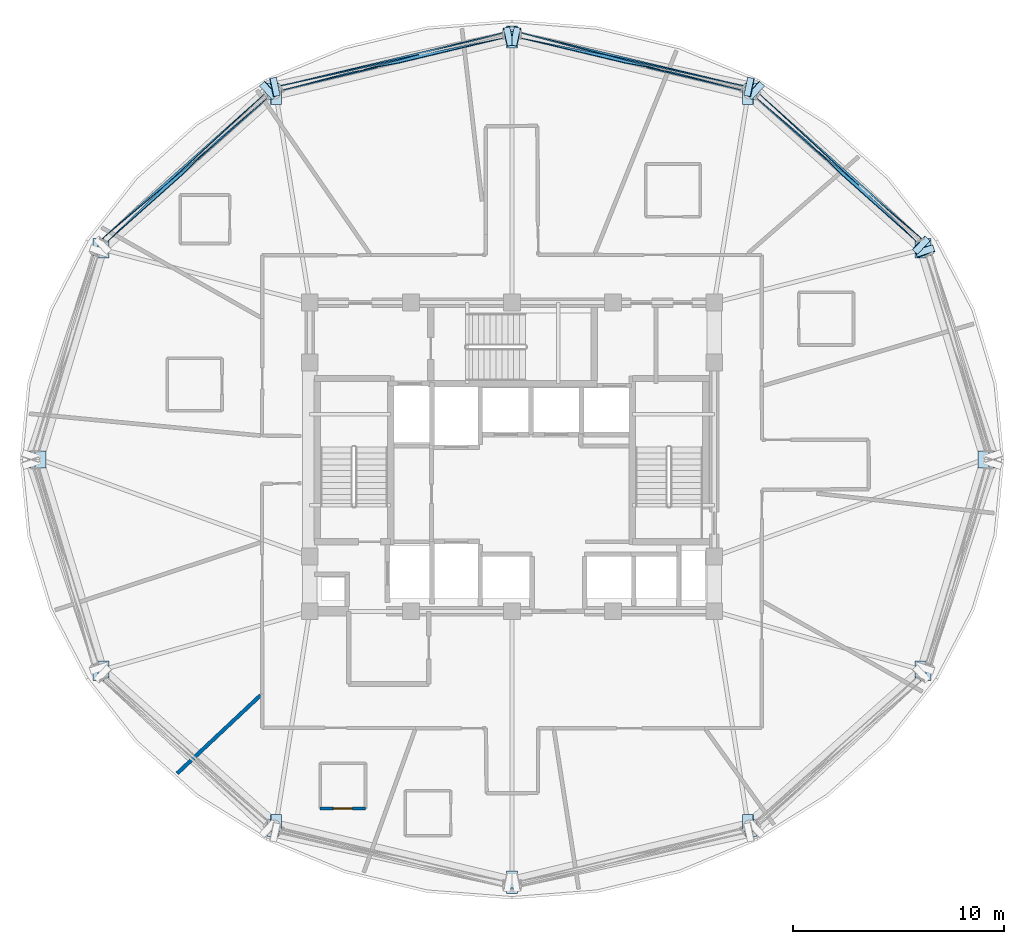
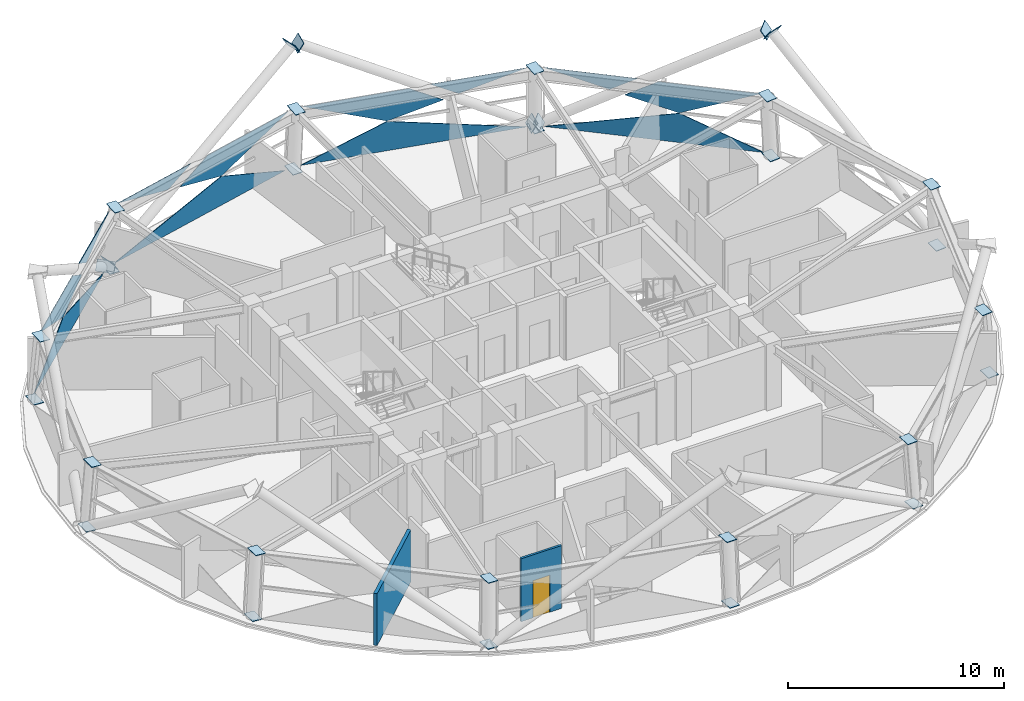
# One storey, part 4 of 12: 44 plates, 2 walls, 1 door, 1 opening, 4 elements without a shape of their own.
"""IFC4 building model written with IfcOpenShell, lengths in metres."""

import ifcopenshell
import ifcopenshell.guid

model = None  # the IFC model being written
_history = None  # IfcOwnerHistory: only IFC2X3 demands one
_inside = {}  # id of a spatial element -> (the spatial element, [elements in it])
_under = {}  # id of a project, library or spatial element -> (it, [spatial elements below it])
_declared = {}  # id of a project -> (the project, [libraries it declares])
_typed = {}  # id of a type object -> (the type object, [elements of that type])
_made_of = {}  # id of a material, layer set ... -> (it, [elements and type objects made of it])


def new_model(schema):
    """Start an empty IFC model of exactly this schema.

    Asked for "IFC4X3", IfcOpenShell would pick the latest addendum, in which some entities
    have other attributes; the version numbers below select the first issue.
    IFC2X3 requires an IfcOwnerHistory on every rooted entity: one is made here for all.
    """
    global model, _history
    if schema == "IFC4X3":
        model = ifcopenshell.file(schema_version=(4, 3, 0, 0))
    else:
        model = ifcopenshell.file(schema=schema)
    _inside.clear()
    _under.clear()
    _declared.clear()
    _typed.clear()
    _made_of.clear()
    _history = None
    if model.schema == "IFC2X3":
        org = make("IfcOrganization", Name="unknown")
        user = make(
            "IfcPersonAndOrganization",
            ThePerson=make("IfcPerson", FamilyName="unknown"),
            TheOrganization=org,
        )
        app = make(
            "IfcApplication",
            ApplicationDeveloper=org,
            Version="unknown",
            ApplicationFullName="unknown",
            ApplicationIdentifier="unknown",
        )
        _history = make(
            "IfcOwnerHistory",
            OwningUser=user,
            OwningApplication=app,
            ChangeAction="ADDED",
            CreationDate=0,
        )
    return model


def make(cls, **values):
    """One entity of the class cls with the attributes given. An attribute that is None is left unset."""
    return model.create_entity(
        cls, **{name: value for name, value in values.items() if value is not None}
    )


def rooted(cls, **values):
    """An entity with a GlobalId (a new one), such as an element, a storey or a relation."""
    return make(cls, GlobalId=ifcopenshell.guid.new(), OwnerHistory=_history, **values)


def si_unit(unit_type, name, prefix=None):
    """IfcSIUnit, for example si_unit("LENGTHUNIT", "METRE", prefix="MILLI")."""
    return make("IfcSIUnit", UnitType=unit_type, Prefix=prefix, Name=name)


def assignment(units):
    """IfcUnitAssignment: the units of a project."""
    return None if units is None else make("IfcUnitAssignment", Units=units)


def point(xyz):
    """IfcCartesianPoint."""
    return None if xyz is None else make("IfcCartesianPoint", Coordinates=xyz)


def direction(xyz):
    """IfcDirection."""
    return None if xyz is None else make("IfcDirection", DirectionRatios=xyz)


def frame(location, z_axis=None, x_axis=None):
    """IfcAxis2Placement3D, a coordinate frame: its origin and axes. An axis left out is left unset."""
    return make(
        "IfcAxis2Placement3D",
        Location=point(location),
        Axis=direction(z_axis),
        RefDirection=direction(x_axis),
    )


def frame_2d(location, x_axis=None):
    """IfcAxis2Placement2D, a coordinate frame in the plane: its origin and x axis."""
    return make(
        "IfcAxis2Placement2D", Location=point(location), RefDirection=direction(x_axis)
    )


def origin():
    """The frame at (0, 0, 0) with its axes left unset."""
    return frame((0.0, 0.0, 0.0))


def place(relative_to, where):
    """IfcLocalPlacement: puts the frame where relative to a parent placement (None: the world)."""
    return make(
        "IfcLocalPlacement", PlacementRelTo=relative_to, RelativePlacement=where
    )


def context(
    kind, dimensions, precision=None, world=None, true_north=None, identifier=None
):
    """IfcGeometricRepresentationContext, for example the 3D "Model" context."""
    return make(
        "IfcGeometricRepresentationContext",
        ContextIdentifier=identifier,
        ContextType=kind,
        CoordinateSpaceDimension=dimensions,
        Precision=precision,
        WorldCoordinateSystem=world,
        TrueNorth=true_north,
    )


def subcontext(parent, identifier, kind, view, scale=None):
    """IfcGeometricRepresentationSubContext, for example "Body" below "Model"."""
    return make(
        "IfcGeometricRepresentationSubContext",
        ContextIdentifier=identifier,
        ContextType=kind,
        ParentContext=parent,
        TargetScale=scale,
        TargetView=view,
    )


def project(units=None, contexts=None):
    """IfcProject with its units and contexts."""
    return rooted(
        "IfcProject",
        Name="project",
        RepresentationContexts=contexts,
        UnitsInContext=assignment(units),
    )


def spatial(cls, under=None, at=None, **own):
    """A site, building, storey or space (cls), placed at a placement, below another one or the project."""
    s = rooted(cls, ObjectPlacement=at, **own)
    if under is not None:
        _under.setdefault(under.id(), (under, []))[1].append(s)
    return s


def polyline(points):
    """IfcPolyline through the points."""
    return make("IfcPolyline", Points=[point(p) for p in points])


def profile(cls, at=None, kind="AREA", **sizes):
    """A parametric profile (cls). Its sizes go by their IFC names, for example OverallWidth=200.0."""
    return make(cls, ProfileType=kind, Position=at, **sizes)


def rectangle(**sizes):
    """IfcRectangleProfileDef."""
    return profile("IfcRectangleProfileDef", **sizes)


def outline(outer, holes=None, kind="AREA"):
    """IfcArbitraryClosedProfileDef: a profile drawn as a closed curve; with holes, ...WithVoids."""
    if holes is None:
        return make("IfcArbitraryClosedProfileDef", ProfileType=kind, OuterCurve=outer)
    return make(
        "IfcArbitraryProfileDefWithVoids",
        ProfileType=kind,
        OuterCurve=outer,
        InnerCurves=holes,
    )


def extrude(swept, where, along, depth):
    """IfcExtrudedAreaSolid: the profile swept, set in the frame where, extruded along a direction by depth."""
    return make(
        "IfcExtrudedAreaSolid",
        SweptArea=swept,
        Position=where,
        ExtrudedDirection=direction(along),
        Depth=depth,
    )


def shape(context_of_items, identifier, shape_type, items):
    """IfcShapeRepresentation: the items that make up one representation, for example the "Body"."""
    return make(
        "IfcShapeRepresentation",
        ContextOfItems=context_of_items,
        RepresentationIdentifier=identifier,
        RepresentationType=shape_type,
        Items=items,
    )


def material(Name=None, Category=None):
    """IfcMaterial."""
    return make("IfcMaterial", Name=Name, Category=Category)


def layer(
    of_material, thickness, ventilated=None, Name=None, Category=None, Priority=None
):
    """IfcMaterialLayer: one layer of a wall or slab, of a material (None: an air gap)."""
    return make(
        "IfcMaterialLayer",
        Material=of_material,
        LayerThickness=thickness,
        IsVentilated=ventilated,
        Name=Name,
        Category=Category,
        Priority=Priority,
    )


def layer_set(layers, Name=None):
    """IfcMaterialLayerSet."""
    return make("IfcMaterialLayerSet", MaterialLayers=layers, LayerSetName=Name)


def made_of(thing, what):
    """Note that an element or type object is made of a material, layer set ...; save() writes the relation."""
    if what is not None:
        _made_of.setdefault(what.id(), (what, []))[1].append(thing)
    return thing


def type_object(cls, material=None, **own):
    """A type object (cls), such as IfcWallType, which elements share."""
    return made_of(rooted(cls, **own), material)


def element(
    cls,
    number,
    at=None,
    inside=None,
    cuts=None,
    type_object=None,
    material=None,
    context=None,
    identifier="Body",
    shape_type=None,
    held_by="IfcProductDefinitionShape",
    body=None,
    shapes=None,
    **own,
):
    """One element of the class cls, such as IfcWall. Its Tag is "e" and its number.

    at: its placement. inside: the storey or other place that contains it. cuts: it is an
    opening in that element (IfcRelVoidsElement). A single representation is given by context,
    identifier, shape_type and body (its items); several are given by shapes. held_by: the class
    of the entity that holds the representations. save() writes the other relations.
    """
    e = rooted(cls, Tag="e%d" % number, ObjectPlacement=at, **own)
    if body is not None:
        shapes = [shape(context, identifier, shape_type, body)]
    if shapes is not None:
        e.Representation = make(held_by, Representations=shapes)
    if inside is not None:
        _inside.setdefault(inside.id(), (inside, []))[1].append(e)
    if cuts is not None:
        rooted(
            "IfcRelVoidsElement", RelatingBuildingElement=cuts, RelatedOpeningElement=e
        )
    if type_object is not None:
        _typed.setdefault(type_object.id(), (type_object, []))[1].append(e)
    return made_of(e, material)


def fill(opening, filler):
    """IfcRelFillsElement: the door or window that sits in an opening."""
    return rooted(
        "IfcRelFillsElement",
        RelatingOpeningElement=opening,
        RelatedBuildingElement=filler,
    )


def aggregate(whole, parts):
    """IfcRelAggregates: a whole, such as a stair, and the parts it consists of."""
    return rooted("IfcRelAggregates", RelatingObject=whole, RelatedObjects=parts)


def save(model, path):
    """Write the relations noted so far, then the file.

    IfcRelAggregates (storeys below a building ...), IfcRelContainedInSpatialStructure (elements
    in a storey), IfcRelDefinesByType, IfcRelAssociatesMaterial and IfcRelDeclares: one each for
    every whole, place, type object, material and project.
    """
    for whole, parts in _under.values():
        aggregate(whole, parts)
    for where, things in _inside.values():
        rooted(
            "IfcRelContainedInSpatialStructure",
            RelatedElements=things,
            RelatingStructure=where,
        )
    for kind, things in _typed.values():
        rooted("IfcRelDefinesByType", RelatedObjects=things, RelatingType=kind)
    for what, things in _made_of.values():
        rooted("IfcRelAssociatesMaterial", RelatedObjects=things, RelatingMaterial=what)
    for by, libraries in _declared.values():
        rooted("IfcRelDeclares", RelatingContext=by, RelatedDefinitions=libraries)
    model.write(path)


model = new_model("IFC4")

# Units and contexts
model_context = context("Model", 3, precision=1e-05, world=origin(), true_north=direction((0.0, 1.0)))
body_context = subcontext(model_context, "Body", "Model", "MODEL_VIEW")
ifc_project = project(units=[si_unit("LENGTHUNIT", "METRE"), si_unit("AREAUNIT", "SQUARE_METRE"), si_unit("VOLUMEUNIT", "CUBIC_METRE"), si_unit("PLANEANGLEUNIT", "RADIAN"), si_unit("MASSUNIT", "GRAM", prefix="KILO")], contexts=[model_context])

# Site, building, storey
site_placement = place(None, origin())
site = spatial("IfcSite", under=ifc_project, at=site_placement, CompositionType="ELEMENT")
building_placement = place(site_placement, origin())
building = spatial("IfcBuilding", under=site, at=building_placement, Name="Vantalir Tower", CompositionType="ELEMENT")
storey_placement = place(building_placement, frame((0.0, 0.0, 197.39990234375)))
storey = spatial("IfcBuildingStorey", under=building, at=storey_placement, Name="L49", CompositionType="ELEMENT", Elevation=197.39990234375)

# Curtain wall, plates
ifc_material_1 = material(Name="Champagne-silver PVDF aluminium and double-silver Low-E glass", Category="aluminium")
ifc_layer_1 = layer(ifc_material_1, 0.2099609375)
ifc_layer_set_1 = layer_set([ifc_layer_1], Name="Champagne-silver PVDF aluminium and double-silver Low-E glass")
curtain_wall_type = type_object("IfcCurtainWallType", Name="CW-DIAMOND-Z3", PredefinedType="USERDEFINED", material=ifc_layer_set_1)
curtain_wall_1_placement = place(storey_placement, origin())
curtain_wall_1 = element("IfcCurtainWall", 1, at=curtain_wall_1_placement, inside=storey, type_object=curtain_wall_type, Name="L49 Quilted Pyramid-Diamond Curtain Wall S02", ObjectType="UNITISED CURTAIN WALL", PredefinedType="USERDEFINED")
ifc_material_2 = material(Name="Double-silver Low-E acoustic glass IGU", Category="glass")
ifc_layer_2 = layer(ifc_material_2, 0.031982421875)
ifc_layer_set_2 = layer_set([ifc_layer_2], Name="Double-silver Low-E acoustic glass IGU")
plate_type_1 = type_object("IfcPlateType", Name="CWP-IGU-32", PredefinedType="CURTAIN_PANEL", material=ifc_layer_set_2)
plate_1_placement = place(storey_placement, frame((50.985595703125, 35.4716796875, 0.046875), z_axis=(0.663984326582, 0.745068091654, 0.063232530015), x_axis=(-0.746561102412, 0.665316856701, -2.3562716e-05)))
plate_1 = element("IfcPlate", 2, at=plate_1_placement, type_object=plate_type_1, Name="CW-L49-S02 Pyramid Diamond Facet 1L", PredefinedType="CURTAIN_PANEL", context=body_context, shape_type="SweptSolid", body=[
    extrude(outline(polyline([(0.0, 0.0), (10.361310731979284, -5.854691731421724e-18), (3.96212236538051, 1.7296288742040788), (0.0, 0.0)])), origin(), (0.0, 0.0, -1.0), 0.031982421875),
])
plate_2_placement = place(storey_placement, frame((50.73095703125, 35.3408203125, 3.523193359375), z_axis=(0.662553531823, 0.743569086456, 0.090154484838), x_axis=(-0.746612433206, 0.665259251797, 4.980793e-05)))
plate_2 = element("IfcPlate", 3, at=plate_2_placement, type_object=plate_type_1, Name="CW-L49-S02 Pyramid Diamond Facet 2U", PredefinedType="CURTAIN_PANEL", context=body_context, shape_type="SweptSolid", body=[
    extrude(outline(polyline([(0.0, 0.0), (4.81443140337489, -2.688821387764051e-17), (6.420620150073501, -1.0348071856573218), (3.859123806723733, -1.7333292551714738), (0.0, 0.0)])), origin(), (0.0, 0.0, -1.0), 0.031982421875),
])
plate_3_placement = place(storey_placement, frame((46.402587890625, 39.24560546875, 3.526611328125), z_axis=(0.662576374777, 0.743541148223, 0.090217007741), x_axis=(-0.746588979014, 0.665285572757, 5.5649149e-05)))
plate_3 = element("IfcPlate", 4, at=plate_3_placement, type_object=plate_type_1, Name="CW-L49-S02 Pyramid Diamond Facet 2U Infill Light", PredefinedType="CURTAIN_PANEL", context=body_context, shape_type="SweptSolid", body=[
    extrude(outline(polyline([(0.0, 0.0), (4.387140337013057, -7.806255641895632e-18), (1.304587843348981, -0.8404137600183067), (0.0, 0.0)])), origin(), (0.0, 0.0, -1.0), 0.031982421875),
])
aggregate(curtain_wall_1, [plate_1, plate_2, plate_3])

curtain_wall_2_placement = place(storey_placement, origin())
curtain_wall_2 = element("IfcCurtainWall", 5, at=curtain_wall_2_placement, inside=storey, type_object=curtain_wall_type, Name="L49 Quilted Pyramid-Diamond Curtain Wall S03", ObjectType="UNITISED CURTAIN WALL", PredefinedType="USERDEFINED")
plate_4_placement = place(storey_placement, frame((42.519775390625, 42.74658203125, 0.046630859375), z_axis=(0.231847246293, 0.970918842614, 0.059694685225), x_axis=(-0.972653703478, 0.232260139948, 2.2388677e-05)))
plate_4 = element("IfcPlate", 6, at=plate_4_placement, type_object=plate_type_1, Name="CW-L49-S03 Pyramid Diamond Facet 1L", PredefinedType="CURTAIN_PANEL", context=body_context, shape_type="SweptSolid", body=[
    extrude(outline(polyline([(0.0, 0.0), (10.90464702346708, -1.6127507315721878e-17), (6.754017756472119, 1.7294955271253203), (0.0, 0.0)])), origin(), (0.0, 0.0, -1.0), 0.031982421875),
])
plate_5_placement = place(storey_placement, frame((36.87353515625, 43.83203125, 3.5234375), z_axis=(0.231369847182, 0.968975027795, 0.086921742536), x_axis=(-0.9726564139, 0.232248790089, 1.012551e-06)))
plate_5 = element("IfcPlate", 7, at=plate_5_placement, type_object=plate_type_1, Name="CW-L49-S03 Pyramid Diamond Facet 2U", PredefinedType="CURTAIN_PANEL", context=body_context, shape_type="SweptSolid", body=[
    extrude(outline(polyline([(0.0, 0.0), (5.099633603987261, 1.3877787807814457e-17), (1.0101105331855291, -1.7328780782961377), (-1.6861816620711338, -1.0317301114437538), (0.0, 0.0)])), origin(), (0.0, 0.0, -1.0), 0.031982421875),
])
plate_6_placement = place(storey_placement, frame((42.381103515625, 42.5537109375, 3.52685546875), z_axis=(0.231359191584, 0.968958755351, 0.087131250985), x_axis=(-0.97265684936, 0.232246960321, -5.3060763e-05)))
plate_6 = element("IfcPlate", 8, at=plate_6_placement, type_object=plate_type_1, Name="CW-L49-S03 Pyramid Diamond Facet 2U Infill Light", PredefinedType="CURTAIN_PANEL", context=body_context, shape_type="SweptSolid", body=[
    extrude(outline(polyline([(0.0, 0.0), (4.601151783202454, -8.456776945386935e-18), (3.2288574456792145, -0.8396920803000676), (0.0, 0.0)])), origin(), (0.0, 0.0, -1.0), 0.031982421875),
])
aggregate(curtain_wall_2, [plate_4, plate_5, plate_6])

curtain_wall_3_placement = place(storey_placement, origin())
curtain_wall_3 = element("IfcCurtainWall", 9, at=curtain_wall_3_placement, inside=storey, type_object=curtain_wall_type, Name="L49 Quilted Pyramid-Diamond Curtain Wall S04", ObjectType="UNITISED CURTAIN WALL", PredefinedType="USERDEFINED")
plate_7_placement = place(storey_placement, frame((31.086669921875, 45.279296875, 0.046875), z_axis=(-0.231847246293, 0.970918842614, 0.059694685225), x_axis=(-0.972653703478, -0.232260139948, -2.2388677e-05)))
plate_7 = element("IfcPlate", 10, at=plate_7_placement, type_object=plate_type_1, Name="CW-L49-S04 Pyramid Diamond Facet 1L", PredefinedType="CURTAIN_PANEL", context=body_context, shape_type="SweptSolid", body=[
    extrude(outline(polyline([(0.0, 0.0), (10.90464702346708, 1.6127507315721878e-17), (4.150629266994962, 1.7294955271253203), (0.0, 0.0)])), origin(), (0.0, 0.0, -1.0), 0.031982421875),
])
plate_8_placement = place(storey_placement, frame((31.086669921875, 45.016357421875, 3.5234375), z_axis=(-0.231369847182, 0.968975027795, 0.086921742536), x_axis=(-0.9726564139, -0.232248790089, -1.012551e-06)))
plate_8 = element("IfcPlate", 11, at=plate_8_placement, type_object=plate_type_1, Name="CW-L49-S04 Pyramid Diamond Facet 2U", PredefinedType="CURTAIN_PANEL", context=body_context, shape_type="SweptSolid", body=[
    extrude(outline(polyline([(0.0, 0.0), (5.099633603987261, -1.3877787807814457e-17), (6.785815266058395, -1.0317301114437538), (4.089523070801732, -1.7328780782961377), (0.0, 0.0)])), origin(), (0.0, 0.0, -1.0), 0.031982421875),
])
plate_9_placement = place(storey_placement, frame((25.09423828125, 43.622314453125, 3.526611328125), z_axis=(-0.231359191584, 0.968958755351, 0.087131250985), x_axis=(-0.97265684936, -0.232246960321, 5.3060763e-05)))
plate_9 = element("IfcPlate", 12, at=plate_9_placement, type_object=plate_type_1, Name="CW-L49-S04 Pyramid Diamond Facet 2U Infill Light", PredefinedType="CURTAIN_PANEL", context=body_context, shape_type="SweptSolid", body=[
    extrude(outline(polyline([(0.0, 0.0), (4.601151783202454, 8.456776945386935e-18), (1.3722943375232384, -0.8396920803000677), (0.0, 0.0)])), origin(), (0.0, 0.0, -1.0), 0.031982421875),
])
aggregate(curtain_wall_3, [plate_7, plate_8, plate_9])

curtain_wall_4_placement = place(storey_placement, origin())
curtain_wall_4 = element("IfcCurtainWall", 13, at=curtain_wall_4_placement, inside=storey, type_object=curtain_wall_type, Name="L49 Quilted Pyramid-Diamond Curtain Wall S05", ObjectType="UNITISED CURTAIN WALL", PredefinedType="USERDEFINED")
plate_10_placement = place(storey_placement, frame((19.749755859375, 42.365234375, 0.046630859375), z_axis=(-0.663984326582, 0.745068091654, 0.063232530015), x_axis=(-0.746561102412, -0.665316856701, 2.3562716e-05)))
plate_10 = element("IfcPlate", 14, at=plate_10_placement, type_object=plate_type_1, Name="CW-L49-S05 Pyramid Diamond Facet 1L", PredefinedType="CURTAIN_PANEL", context=body_context, shape_type="SweptSolid", body=[
    extrude(outline(polyline([(0.0, 0.0), (10.361310731979284, 5.854691731421724e-18), (6.399188366598775, 1.7296288742040788), (0.0, 0.0)])), origin(), (0.0, 0.0, -1.0), 0.031982421875),
])
plate_11_placement = place(storey_placement, frame((15.863525390625, 38.543701171875, 3.5234375), z_axis=(-0.662553531823, 0.743569086456, 0.090154484838), x_axis=(-0.746612433206, -0.665259251797, -4.980793e-05)))
plate_11 = element("IfcPlate", 15, at=plate_11_placement, type_object=plate_type_1, Name="CW-L49-S05 Pyramid Diamond Facet 2U", PredefinedType="CURTAIN_PANEL", context=body_context, shape_type="SweptSolid", body=[
    extrude(outline(polyline([(0.0, 0.0), (4.81443140337489, 2.688821387764051e-17), (0.9553075966511566, -1.7333292551714738), (-1.6061887466986107, -1.0348071856573218), (0.0, 0.0)])), origin(), (0.0, 0.0, -1.0), 0.031982421875),
])
plate_12_placement = place(storey_placement, frame((19.872802734375, 42.164306640625, 3.52685546875), z_axis=(-0.662576374777, 0.743541148223, 0.090217007741), x_axis=(-0.746588979014, -0.665285572757, -5.5649149e-05)))
plate_12 = element("IfcPlate", 16, at=plate_12_placement, type_object=plate_type_1, Name="CW-L49-S05 Pyramid Diamond Facet 2U Infill Light", PredefinedType="CURTAIN_PANEL", context=body_context, shape_type="SweptSolid", body=[
    extrude(outline(polyline([(0.0, 0.0), (4.387140337013057, 7.806255641895632e-18), (3.0825524936640756, -0.8404137600183067), (0.0, 0.0)])), origin(), (0.0, 0.0, -1.0), 0.031982421875),
])
aggregate(curtain_wall_4, [plate_10, plate_11, plate_12])

# Plates
ifc_material_3 = material(Name="Steel S460", Category="steel")
ifc_layer_3 = layer(ifc_material_3, 0.035888671875)
ifc_layer_set_3 = layer_set([ifc_layer_3], Name="Steel S460")
plate_type_2 = type_object("IfcPlateType", Name="PLT-KN-Z2", PredefinedType="USERDEFINED", material=ifc_layer_set_3)
plate_13_placement = place(storey_placement, frame((51.46484375, 35.198974609375, 6.892333984375), z_axis=(-0.259593208658, 0.786708767806, 0.560089886247), x_axis=(-0.949649026051, -0.313315693166, -6.1123879e-05)))
element("IfcPlate", 17, at=plate_13_placement, inside=storey, type_object=plate_type_2, Name="Node Cap Plate MEM-DG-L49-R01L End", ObjectType="FLANGE_PLATE", PredefinedType="USERDEFINED", context=body_context, shape_type="SweptSolid", body=[
    extrude(outline(polyline([(0.0, 0.0), (0.8799760824602756, 0.0), (0.8799534019193953, 0.5800387095738335), (-9.917363003215845e-05, 0.5799088500322518), (0.0, 0.0)])), origin(), (0.0, 0.0, -1.0), 0.035888671875),
])
plate_14_placement = place(storey_placement, frame((42.687744140625, 43.151123046875, -0.048095703125), z_axis=(-0.833773681444, 0.179840498907, 0.521995060402), x_axis=(-0.210837880106, -0.977521042302, 1.3020154e-05)))
element("IfcPlate", 18, at=plate_14_placement, inside=storey, type_object=plate_type_2, Name="Node Cap Plate MEM-DG-L49-R07L Start", ObjectType="FLANGE_PLATE", PredefinedType="USERDEFINED", context=body_context, shape_type="SweptSolid", body=[
    extrude(outline(polyline([(0.0, 0.0), (0.8801320659063131, 1.3877787807814457e-17), (0.8800402348965092, 0.5798913340487858), (0.0001468215884142464, 0.5799182006200991), (0.0, 0.0)])), origin(), (0.0, 0.0, -1.0), 0.035888671875),
])
plate_15_placement = place(storey_placement, frame((31.60498046875, 45.54248046875, 6.892578125), z_axis=(-0.833635137396, 0.179954448478, 0.522177033363), x_axis=(-0.211042962137, -0.977476784627, -6.038768e-05)))
element("IfcPlate", 19, at=plate_15_placement, inside=storey, type_object=plate_type_2, Name="Node Cap Plate MEM-DG-L49-R07L End", ObjectType="FLANGE_PLATE", PredefinedType="USERDEFINED", context=body_context, shape_type="SweptSolid", body=[
    extrude(outline(polyline([(0.0, 0.0), (0.8799449234445886, 0.0), (0.8799403968480161, 0.5800428193991712), (4.6997564105360945e-05, 0.5799182087886863), (0.0, 0.0)])), origin(), (0.0, 0.0, -1.0), 0.035888671875),
])
for number, where, z_axis, x_axis, name in (
    (20, (42.88720703125, 42.08837890625, -0.040283203125), (0.613977066316, -0.574102368883, 0.541699761935), (0.682990078284, 0.73042765074, 0.0), "Node Cap Plate MEM-DG-L49-R07R Start"),
    (21, (50.744384765625, 34.739501953125, 6.892333984375), (0.613977066316, -0.574102368883, 0.541699761935), (0.682990078284, 0.73042765074, 0.0), "Node Cap Plate MEM-DG-L49-R07R End"),
):
    element("IfcPlate", number, at=place(storey_placement, frame(where, z_axis=z_axis, x_axis=x_axis)), inside=storey, type_object=plate_type_2, Name=name, ObjectType="FLANGE_PLATE", PredefinedType="USERDEFINED", context=body_context, shape_type="SweptSolid", body=[
        extrude(outline(polyline([(0.0, 0.0), (0.8800628850424161, -2.7755575615628914e-17), (0.8800714864617183, 0.5800202722315093), (8.601419302117774e-06, 0.5800202722315093), (0.0, 0.0)])), origin(), (0.0, 0.0, -1.0), 0.035888671875),
    ])
plate_16_placement = place(storey_placement, frame((19.51171875, 42.731201171875, -0.040283203125), z_axis=(-0.613977066316, -0.574102368883, 0.541699761935), x_axis=(0.682990078284, -0.73042765074, 0.0)))
element("IfcPlate", 22, at=plate_16_placement, inside=storey, type_object=plate_type_2, Name="Node Cap Plate MEM-DG-L49-R13L Start", ObjectType="FLANGE_PLATE", PredefinedType="USERDEFINED", context=body_context, shape_type="SweptSolid", body=[
    extrude(outline(polyline([(0.0, 0.0), (0.8800628850424161, 2.7755575615628914e-17), (0.880054283623114, 0.5800202722315093), (-8.601419302117774e-06, 0.5800202722315093), (0.0, 0.0)])), origin(), (0.0, 0.0, -1.0), 0.035888671875),
])
plate_17_placement = place(storey_placement, frame((20.497802734375, 42.290771484375, -0.048095703125), z_axis=(0.833773681444, 0.179840498907, 0.521995060402), x_axis=(-0.210837880106, 0.977521042302, -1.3020154e-05)))
element("IfcPlate", 23, at=plate_17_placement, inside=storey, type_object=plate_type_2, Name="Node Cap Plate MEM-DG-L49-R13R Start", ObjectType="FLANGE_PLATE", PredefinedType="USERDEFINED", context=body_context, shape_type="SweptSolid", body=[
    extrude(outline(polyline([(0.0, 0.0), (0.8801320659063131, -1.3877787807814457e-17), (0.8799852443178988, 0.5799182006200991), (9.183100980400525e-05, 0.5798913340487858), (0.0, 0.0)])), origin(), (0.0, 0.0, -1.0), 0.035888671875),
])
plate_18_placement = place(storey_placement, frame((31.580810546875, 44.682373046875, 6.892578125), z_axis=(0.833635137396, 0.179954448478, 0.522177033363), x_axis=(-0.211042962137, 0.977476784627, 6.038768e-05)))
element("IfcPlate", 24, at=plate_18_placement, inside=storey, type_object=plate_type_2, Name="Node Cap Plate MEM-DG-L49-R13R End", ObjectType="FLANGE_PLATE", PredefinedType="USERDEFINED", context=body_context, shape_type="SweptSolid", body=[
    extrude(outline(polyline([(0.0, 0.0), (0.8799449234445886, 0.0), (0.8798979258804832, 0.5799182087886863), (4.526596572662737e-06, 0.5800428193991712), (0.0, 0.0)])), origin(), (0.0, 0.0, -1.0), 0.035888671875),
])
ifc_layer_4 = layer(ifc_material_3, 0.031982421875)
ifc_layer_set_4 = layer_set([ifc_layer_4], Name="Steel S460")
plate_type_3 = type_object("IfcPlateType", Name="PLT-KN-Z3", PredefinedType="USERDEFINED", material=ifc_layer_set_4)
plate_19_placement = place(storey_placement, frame((53.620849609375, 25.39990234375, 3.57275390625), z_axis=(-0.082151892877, 0.0, 0.996619820441), x_axis=(0.0, -1.0, 0.0)))
element("IfcPlate", 25, at=plate_19_placement, inside=storey, type_object=plate_type_3, Name="L49 Ring Column Top Cap RC01", ObjectType="FLANGE_PLATE", PredefinedType="USERDEFINED", context=body_context, shape_type="SweptSolid", body=[
    extrude(outline(polyline([(0.0, 0.0), (0.7998046875, 0.0), (0.7998046875, 0.5200684716920532), (0.0, 0.5200684716920532), (0.0, 0.0)])), origin(), (0.0, 0.0, -1.0), 0.031982421875),
])
plate_20_placement = place(storey_placement, frame((53.91259765625, 25.39990234375, 0.031494140625), z_axis=(-0.082190345782, 0.0, 0.996616650001), x_axis=(0.0, -1.0, 0.0)))
element("IfcPlate", 26, at=plate_20_placement, inside=storey, type_object=plate_type_3, Name="L49 Ring Column Base Cap RC01", ObjectType="FLANGE_PLATE", PredefinedType="USERDEFINED", context=body_context, shape_type="SweptSolid", body=[
    extrude(outline(polyline([(0.0, 0.0), (0.7998046875, 0.0), (0.7998046875, 0.5198251566931293), (0.0, 0.5198251566931293), (0.0, 0.0)])), origin(), (0.0, 0.0, -1.0), 0.031982421875),
])
plate_21_placement = place(storey_placement, frame((50.6220703125, 35.361572265625, 3.59033203125), z_axis=(-0.070960080763, -0.036833916558, 0.996798841055), x_axis=(3.98772e-07, -0.999317966658, -0.036926975419)))
element("IfcPlate", 27, at=plate_21_placement, inside=storey, type_object=plate_type_3, Name="L49 Ring Column Top Cap RC02", ObjectType="FLANGE_PLATE", PredefinedType="USERDEFINED", context=body_context, shape_type="SweptSolid", body=[
    extrude(outline(polyline([(0.0, 0.0), (0.8001060802812267, 0.0), (0.799964836027418, 0.5198648666525846), (0.00010272985914494027, 0.5198655062872679), (0.0, 0.0)])), origin(), (0.0, 0.0, -1.0), 0.031982421875),
])
plate_22_placement = place(storey_placement, frame((50.875, 35.492431640625, 0.04931640625), z_axis=(-0.071193536886, -0.036985297159, 0.99677658886), x_axis=(-1.1231845e-05, -0.999312293353, -0.037080186445)))
element("IfcPlate", 28, at=plate_22_placement, inside=storey, type_object=plate_type_3, Name="L49 Ring Column Base Cap RC02", ObjectType="FLANGE_PLATE", PredefinedType="USERDEFINED", context=body_context, shape_type="SweptSolid", body=[
    extrude(outline(polyline([(0.0, 0.0), (0.799871150191656, 4.336808689942018e-19), (0.7999531396890475, 0.5198828644624848), (-0.00015293045058433256, 0.5198648480497733), (0.0, 0.0)])), origin(), (0.0, 0.0, -1.0), 0.031982421875),
])
plate_23_placement = place(storey_placement, frame((42.43017578125, 42.654296875, 3.608642578125), z_axis=(-0.041164642048, -0.063264972827, 0.997147439178), x_axis=(5.866383e-06, -0.997993376701, -0.063318401963)))
element("IfcPlate", 29, at=plate_23_placement, inside=storey, type_object=plate_type_3, Name="L49 Ring Column Top Cap RC03", ObjectType="FLANGE_PLATE", PredefinedType="USERDEFINED", context=body_context, shape_type="SweptSolid", body=[
    extrude(outline(polyline([(0.0, 0.0), (0.7999378054242149, -4.336808689942018e-19), (0.8000578598558569, 0.5199672928571247), (-0.0001390548893208984, 0.5199766878233238), (0.0, 0.0)])), origin(), (0.0, 0.0, -1.0), 0.031982421875),
])
plate_24_placement = place(storey_placement, frame((42.575927734375, 42.87939453125, 0.067626953125), z_axis=(-0.041130504315, -0.063274696609, 0.997148230898), x_axis=(-6.258485e-06, -0.997992733228, -0.06332854321)))
element("IfcPlate", 30, at=plate_24_placement, inside=storey, type_object=plate_type_3, Name="L49 Ring Column Base Cap RC03", ObjectType="FLANGE_PLATE", PredefinedType="USERDEFINED", context=body_context, shape_type="SweptSolid", body=[
    extrude(outline(polyline([(0.0, 0.0), (0.7999532652936944, 0.0), (0.79980769096498, 0.5202206158702798), (-0.00013011325859474464, 0.5202105944961546), (0.0, 0.0)])), origin(), (0.0, 0.0, -1.0), 0.031982421875),
])
plate_25_placement = place(storey_placement, frame((31.239990234375, 45.322265625, 3.62353515625), z_axis=(0.0, -0.073545696274, 0.997291848237), x_axis=(0.0, -0.997291848237, -0.073545696274)))
element("IfcPlate", 31, at=plate_25_placement, inside=storey, type_object=plate_type_3, Name="L49 Ring Column Top Cap RC04", ObjectType="FLANGE_PLATE", PredefinedType="USERDEFINED", context=body_context, shape_type="SweptSolid", body=[
    extrude(outline(polyline([(0.0, 0.0), (0.8000181330175529, 0.0), (0.8000181330175529, 0.52001953125), (0.0, 0.52001953125), (0.0, 0.0)])), origin(), (0.0, 0.0, -1.0), 0.031982421875),
])
plate_26_placement = place(storey_placement, frame((31.239990234375, 45.5830078125, 0.082275390625), z_axis=(0.0, -0.073242167855, 0.997314185625), x_axis=(0.0, -0.997314185625, -0.073242167855)))
element("IfcPlate", 32, at=plate_26_placement, inside=storey, type_object=plate_type_3, Name="L49 Ring Column Base Cap RC04", ObjectType="FLANGE_PLATE", PredefinedType="USERDEFINED", context=body_context, shape_type="SweptSolid", body=[
    extrude(outline(polyline([(0.0, 0.0), (0.8000002145766925, 0.0), (0.8000002145766925, 0.52001953125), (0.0, 0.52001953125), (0.0, 0.0)])), origin(), (0.0, 0.0, -1.0), 0.031982421875),
])
plate_27_placement = place(storey_placement, frame((20.05029296875, 42.653076171875, 3.630126953125), z_axis=(0.041164642048, -0.063264972827, 0.997147439178), x_axis=(5.864483e-06, -0.997993346098, -0.0633188843)))
element("IfcPlate", 33, at=plate_27_placement, inside=storey, type_object=plate_type_3, Name="L49 Ring Column Top Cap RC05", ObjectType="FLANGE_PLATE", PredefinedType="USERDEFINED", context=body_context, shape_type="SweptSolid", body=[
    extrude(outline(polyline([(0.0, 0.0), (0.8001969148003302, 0.0), (0.8000829652099558, 0.5199672942308239), (0.00014515984087520818, 0.519976686154867), (0.0, 0.0)])), origin(), (0.0, 0.0, -1.0), 0.031982421875),
])
plate_28_placement = place(storey_placement, frame((19.904296875, 42.878173828125, 0.0888671875), z_axis=(0.041130504315, -0.063274696609, 0.997148230898), x_axis=(-6.258606e-06, -0.997992765859, -0.063328028974)))
element("IfcPlate", 34, at=plate_28_placement, inside=storey, type_object=plate_type_3, Name="L49 Ring Column Base Cap RC05", ObjectType="FLANGE_PLATE", PredefinedType="USERDEFINED", context=body_context, shape_type="SweptSolid", body=[
    extrude(outline(polyline([(0.0, 0.0), (0.7999378042863471, 0.0), (0.8000768614516015, 0.5202206176531675), (0.00012359622068060802, 0.5202105960853516), (0.0, 0.0)])), origin(), (0.0, 0.0, -1.0), 0.031982421875),
])
plate_29_placement = place(storey_placement, frame((11.859375, 35.360107421875, 3.627197265625), z_axis=(0.070960080763, -0.036833916558, 0.996798841055), x_axis=(3.98893e-07, -0.999317964563, -0.036927032126)))
element("IfcPlate", 35, at=plate_29_placement, inside=storey, type_object=plate_type_3, Name="L49 Ring Column Top Cap RC06", ObjectType="FLANGE_PLATE", PredefinedType="USERDEFINED", context=body_context, shape_type="SweptSolid", body=[
    extrude(outline(polyline([(0.0, 0.0), (0.7998621061685287, -4.336808689942018e-19), (0.8000037661484941, 0.519864866539468), (-0.00010231413247664342, 0.5198655063692527), (0.0, 0.0)])), origin(), (0.0, 0.0, -1.0), 0.031982421875),
])
plate_30_placement = place(storey_placement, frame((11.6064453125, 35.4912109375, 0.086181640625), z_axis=(0.071193536886, -0.036985297159, 0.99677658886), x_axis=(-1.1228547e-05, -0.999312352795, -0.037078584445)))
element("IfcPlate", 36, at=plate_30_placement, inside=storey, type_object=plate_type_3, Name="L49 Ring Column Base Cap RC06", ObjectType="FLANGE_PLATE", PredefinedType="USERDEFINED", context=body_context, shape_type="SweptSolid", body=[
    extrude(outline(polyline([(0.0, 0.0), (0.8001060703424743, -4.336808689942018e-19), (0.8000123743669316, 0.5198828624844833), (0.00014122437805859714, 0.5198648513615934), (0.0, 0.0)])), origin(), (0.0, 0.0, -1.0), 0.031982421875),
])
plate_31_placement = place(storey_placement, frame((8.86083984375, 25.39990234375, 3.615478515625), z_axis=(0.082151892877, 0.0, 0.996619820441), x_axis=(0.0, -1.0, 0.0)))
element("IfcPlate", 37, at=plate_31_placement, inside=storey, type_object=plate_type_3, Name="L49 Ring Column Top Cap RC07", ObjectType="FLANGE_PLATE", PredefinedType="USERDEFINED", context=body_context, shape_type="SweptSolid", body=[
    extrude(outline(polyline([(0.0, 0.0), (0.7998046875, 0.0), (0.7998046875, 0.5200684716920532), (0.0, 0.5200684716920532), (0.0, 0.0)])), origin(), (0.0, 0.0, -1.0), 0.031982421875),
])
plate_32_placement = place(storey_placement, frame((8.5693359375, 25.39990234375, 0.07421875), z_axis=(0.082190345782, 0.0, 0.996616650001), x_axis=(0.0, -1.0, 0.0)))
element("IfcPlate", 38, at=plate_32_placement, inside=storey, type_object=plate_type_3, Name="L49 Ring Column Base Cap RC07", ObjectType="FLANGE_PLATE", PredefinedType="USERDEFINED", context=body_context, shape_type="SweptSolid", body=[
    extrude(outline(polyline([(0.0, 0.0), (0.7998046875, 0.0), (0.7998046875, 0.5198251566931293), (0.0, 0.5198251566931293), (0.0, 0.0)])), origin(), (0.0, 0.0, -1.0), 0.031982421875),
])
plate_33_placement = place(storey_placement, frame((11.859375, 15.438232421875, 3.597900390625), z_axis=(0.071427010266, 0.036528693491, 0.996776723623), x_axis=(-3.98196e-07, -0.999329179984, 0.036622261424)))
element("IfcPlate", 39, at=plate_33_placement, inside=storey, type_object=plate_type_3, Name="L49 Ring Column Top Cap RC08", ObjectType="FLANGE_PLATE", PredefinedType="USERDEFINED", context=body_context, shape_type="SweptSolid", body=[
    extrude(outline(polyline([(0.0, 0.0), (0.7998531266209424, 4.336808689942018e-19), (0.7999577520057322, 0.519882875696027), (-0.00013935146579241832, 0.5198822369715264), (0.0, 0.0)])), origin(), (0.0, 0.0, -1.0), 0.031982421875),
])
plate_34_placement = place(storey_placement, frame((11.6064453125, 15.308349609375, 0.056640625), z_axis=(0.071193550878, 0.03668130476, 0.99678782105), x_axis=(-1.0428517e-05, -0.99932355748, 0.036775363457)))
element("IfcPlate", 40, at=plate_34_placement, inside=storey, type_object=plate_type_3, Name="L49 Ring Column Base Cap RC08", ObjectType="FLANGE_PLATE", PredefinedType="USERDEFINED", context=body_context, shape_type="SweptSolid", body=[
    extrude(outline(polyline([(0.0, 0.0), (0.8001060717100251, 0.0), (0.7999558305897481, 0.5198822207470465), (0.00010271271784232511, 0.5198654930990305), (0.0, 0.0)])), origin(), (0.0, 0.0, -1.0), 0.031982421875),
])
plate_35_placement = place(storey_placement, frame((20.05029296875, 8.1455078125, 3.579345703125), z_axis=(0.041164642048, 0.063264972827, 0.997147439178), x_axis=(-5.864483e-06, -0.997993346098, 0.0633188843)))
element("IfcPlate", 41, at=plate_35_placement, inside=storey, type_object=plate_type_3, Name="L49 Ring Column Top Cap RC09", ObjectType="FLANGE_PLATE", PredefinedType="USERDEFINED", context=body_context, shape_type="SweptSolid", body=[
    extrude(outline(polyline([(0.0, 0.0), (0.8001969148003302, 0.0), (0.8000517549594549, 0.519976686154867), (0.00011394959037440465, 0.5199672942308239), (0.0, 0.0)])), origin(), (0.0, 0.0, -1.0), 0.031982421875),
])
plate_36_placement = place(storey_placement, frame((19.904296875, 7.920166015625, 0.038330078125), z_axis=(0.041130504315, 0.063274696609, 0.997148230898), x_axis=(6.258606e-06, -0.997992765859, 0.063328028974)))
element("IfcPlate", 42, at=plate_36_placement, inside=storey, type_object=plate_type_3, Name="L49 Ring Column Base Cap RC09", ObjectType="FLANGE_PLATE", PredefinedType="USERDEFINED", context=body_context, shape_type="SweptSolid", body=[
    extrude(outline(polyline([(0.0, 0.0), (0.7999378042863471, 0.0), (0.7998142080656665, 0.5202105960853516), (-0.000139057165254434, 0.5202206176531675), (0.0, 0.0)])), origin(), (0.0, 0.0, -1.0), 0.031982421875),
])
plate_37_placement = place(storey_placement, frame((31.239990234375, 5.4755859375, 3.564697265625), z_axis=(0.0, 0.073545696274, 0.997291848237), x_axis=(0.0, -0.997291848237, 0.073545696274)))
element("IfcPlate", 43, at=plate_37_placement, inside=storey, type_object=plate_type_3, Name="L49 Ring Column Top Cap RC10", ObjectType="FLANGE_PLATE", PredefinedType="USERDEFINED", context=body_context, shape_type="SweptSolid", body=[
    extrude(outline(polyline([(0.0, 0.0), (0.8000181330175529, 0.0), (0.8000181330175529, 0.52001953125), (0.0, 0.52001953125), (0.0, 0.0)])), origin(), (0.0, 0.0, -1.0), 0.031982421875),
])
plate_38_placement = place(storey_placement, frame((31.239990234375, 5.21484375, 0.023681640625), z_axis=(0.0, 0.073242167855, 0.997314185625), x_axis=(0.0, -0.997314185625, 0.073242167855)))
element("IfcPlate", 44, at=plate_38_placement, inside=storey, type_object=plate_type_3, Name="L49 Ring Column Base Cap RC10", ObjectType="FLANGE_PLATE", PredefinedType="USERDEFINED", context=body_context, shape_type="SweptSolid", body=[
    extrude(outline(polyline([(0.0, 0.0), (0.8000002145766925, 0.0), (0.8000002145766925, 0.52001953125), (0.0, 0.52001953125), (0.0, 0.0)])), origin(), (0.0, 0.0, -1.0), 0.031982421875),
])
plate_39_placement = place(storey_placement, frame((42.43017578125, 8.14404296875, 3.55810546875), z_axis=(-0.041164642048, 0.063264972827, 0.997147439178), x_axis=(-5.866383e-06, -0.997993376701, 0.063318401963)))
element("IfcPlate", 45, at=plate_39_placement, inside=storey, type_object=plate_type_3, Name="L49 Ring Column Top Cap RC11", ObjectType="FLANGE_PLATE", PredefinedType="USERDEFINED", context=body_context, shape_type="SweptSolid", body=[
    extrude(outline(polyline([(0.0, 0.0), (0.7999378054242149, 4.336808689942018e-19), (0.8000768603135358, 0.5199766878233238), (-0.00012005443164198656, 0.5199672928571247), (0.0, 0.0)])), origin(), (0.0, 0.0, -1.0), 0.031982421875),
])
plate_40_placement = place(storey_placement, frame((42.575927734375, 7.9189453125, 0.016845703125), z_axis=(-0.041130504315, 0.063274696609, 0.997148230898), x_axis=(6.258485e-06, -0.997992733228, 0.06332854321)))
element("IfcPlate", 46, at=plate_40_placement, inside=storey, type_object=plate_type_3, Name="L49 Ring Column Base Cap RC11", ObjectType="FLANGE_PLATE", PredefinedType="USERDEFINED", context=body_context, shape_type="SweptSolid", body=[
    extrude(outline(polyline([(0.0, 0.0), (0.7999532652936944, 0.0), (0.8000833785522892, 0.5202105944961546), (0.0001455743287144685, 0.5202206158702798), (0.0, 0.0)])), origin(), (0.0, 0.0, -1.0), 0.031982421875),
])
plate_41_placement = place(storey_placement, frame((50.6220703125, 15.43701171875, 3.560791015625), z_axis=(-0.071427010266, 0.036528693491, 0.996776723623), x_axis=(-3.98074e-07, -0.999329182073, 0.036622204441)))
element("IfcPlate", 47, at=plate_41_placement, inside=storey, type_object=plate_type_3, Name="L49 Ring Column Top Cap RC12", ObjectType="FLANGE_PLATE", PredefinedType="USERDEFINED", context=body_context, shape_type="SweptSolid", body=[
    extrude(outline(polyline([(0.0, 0.0), (0.8000971034717795, 0.0), (0.7999920630599529, 0.5198828756123381), (0.00013893643926524688, 0.5198822370826063), (0.0, 0.0)])), origin(), (0.0, 0.0, -1.0), 0.031982421875),
])
plate_42_placement = place(storey_placement, frame((50.875, 15.306884765625, 0.019775390625), z_axis=(-0.071193550878, 0.03668130476, 0.99678782105), x_axis=(-1.0431815e-05, -0.999323612233, 0.036773875565)))
element("IfcPlate", 48, at=plate_42_placement, inside=storey, type_object=plate_type_3, Name="L49 Ring Column Base Cap RC12", ObjectType="FLANGE_PLATE", PredefinedType="USERDEFINED", context=body_context, shape_type="SweptSolid", body=[
    extrude(outline(polyline([(0.0, 0.0), (0.7998531180468219, -4.336808689942018e-19), (0.7999924866623496, 0.5198822237754085), (-0.00011358487270428808, 0.5198654908372715), (0.0, 0.0)])), origin(), (0.0, 0.0, -1.0), 0.031982421875),
])

# Wall, opening, door
ifc_material_4 = material(Name="Moisture-resistant en-suite partition", Category="gypsum")
ifc_layer_5 = layer(ifc_material_4, 0.125)
ifc_layer_set_5 = layer_set([ifc_layer_5], Name="Moisture-resistant en-suite partition")
wall_type_1 = type_object("IfcWallType", Name="WL-BATH-125", PredefinedType="PARTITIONING", material=ifc_layer_set_5)
wall_1_placement = place(storey_placement, frame((22.39697265625, 8.44091796875, 0.0), z_axis=(0.0, 0.0, 1.0), x_axis=(1.0, 0.0, 0.0)))
wall_1 = element("IfcWall", 49, at=wall_1_placement, inside=storey, type_object=wall_type_1, Name="L49 En-suite 09 South Wall", PredefinedType="PARTITIONING", context=body_context, shape_type="SweptSolid", body=[
    extrude(rectangle(XDim=2.150146484375, YDim=0.125, at=frame_2d((1.0751953125, 0.0))), origin(), (0.0, 0.0, 1.0), 3.550048828125),
])
opening_placement = place(wall_1_placement, frame((0.625, 0.0, 0.0)))
opening = element("IfcOpeningElement", 50, at=opening_placement, cuts=wall_1, Name="Opening D-WC", PredefinedType="OPENING", context=body_context, shape_type="SweptSolid", body=[
    extrude(rectangle(XDim=0.89990234375, YDim=2.10009765625, at=frame_2d((0.449951171875, 1.050048828125))), frame((0.0, 0.072509765625, 0.0), z_axis=(0.0, -1.0, 0.0), x_axis=(1.0, 0.0, 0.0)), (0.0, 0.0, 1.0), 0.14501953125),
])
ifc_material_5 = material(Name="Moisture-resistant hardwood door", Category="wood")
door_type = type_object("IfcDoorType", Name="DR-ENSUITE-900", OperationType="NOTDEFINED", PredefinedType="DOOR", material=ifc_material_5)
door_placement = place(opening_placement, origin())
door = element("IfcDoor", 51, at=door_placement, inside=storey, type_object=door_type, Name="L49 En-suite 09 Door", OperationType="SINGLE_SWING_LEFT", OverallHeight=2.10009765625, OverallWidth=0.89990234375, PredefinedType="DOOR", context=body_context, shape_type="SweptSolid", body=[
    extrude(rectangle(XDim=0.89990234375, YDim=2.10009765625, at=frame_2d((0.449951171875, 1.050048828125))), frame((0.0, 0.02490234375, 0.0), z_axis=(0.0, -1.0, 0.0), x_axis=(1.0, 0.0, 0.0)), (0.0, 0.0, 1.0), 0.050048828125),
])
fill(opening, door)

# Wall
ifc_material_6 = material(Name="Twin-stud acoustic fire-rated gypsum partition", Category="gypsum")
ifc_layer_6 = layer(ifc_material_6, 0.179931640625)
ifc_layer_set_6 = layer_set([ifc_layer_6], Name="Twin-stud acoustic fire-rated gypsum partition")
wall_type_2 = type_object("IfcWallType", Name="WL-GUEST-180", PredefinedType="PARTITIONING", material=ifc_layer_set_6)
wall_2_placement = place(storey_placement, frame((19.56005859375, 13.80810546875, 0.0), z_axis=(0.0, 0.0, 1.0), x_axis=(-0.729622985672, -0.683849617079, 0.0)))
element("IfcWall", 52, at=wall_2_placement, inside=storey, type_object=wall_type_2, Name="L49 Radial Suite Partition 09", PredefinedType="PARTITIONING", context=body_context, shape_type="SweptSolid", body=[
    extrude(rectangle(XDim=5.41357421875, YDim=0.179931640625, at=frame_2d((2.706787109375, 0.0))), origin(), (0.0, 0.0, 1.0), 2.925048828125),
])

save(model, "model.ifc")
